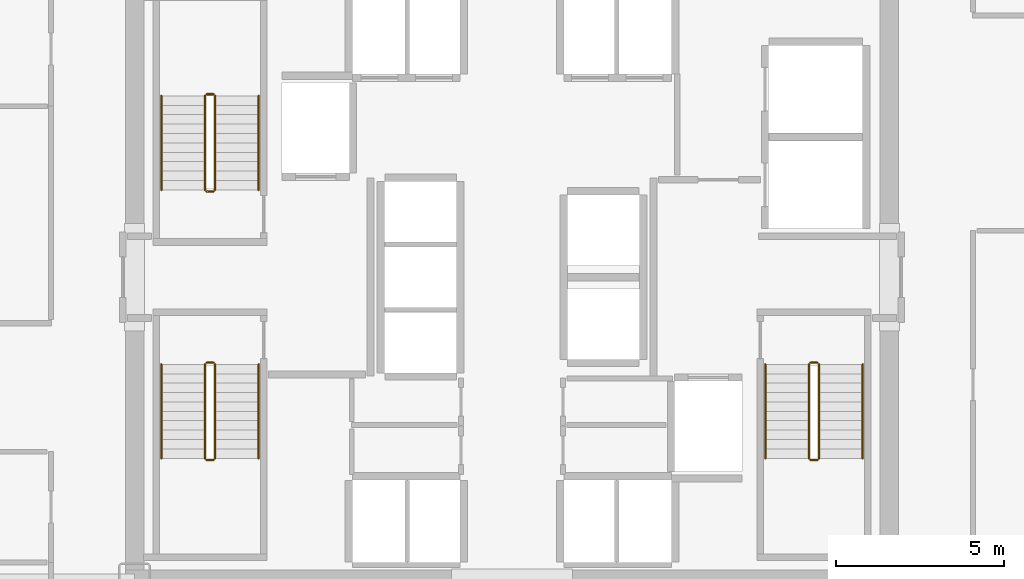
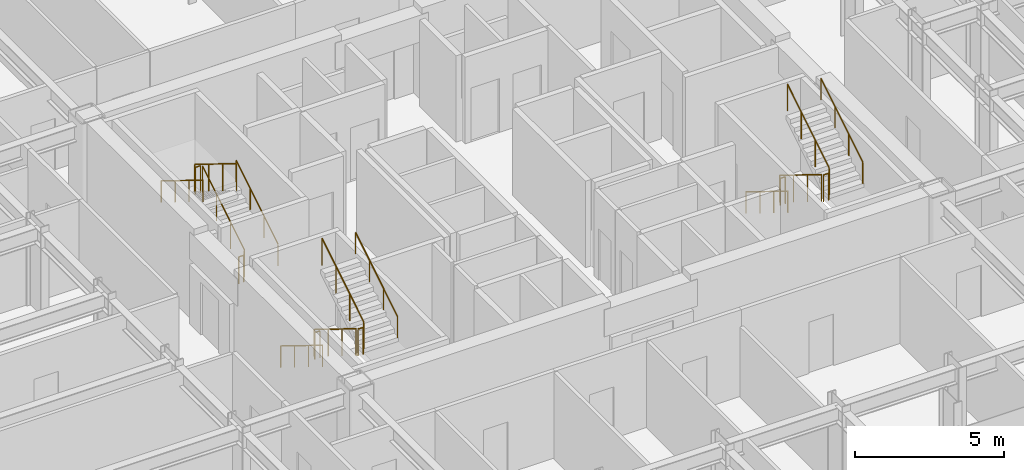
# One storey, part 26 of 26: 18 railings.
"""IFC4 building model written with IfcOpenShell, lengths in metres."""

from ifc_helpers import new_model, si_unit, direction, frame, origin, origin_2d, place, context, subcontext, project, spatial, circle, extrude, material, type_object, element, save


model = new_model("IFC4")

# Units and contexts
model_context = context("Model", 3, precision=1e-05, world=origin(), true_north=direction((0.0, 1.0)))
body_context = subcontext(model_context, "Body", "Model", "MODEL_VIEW")
ifc_project = project(units=[si_unit("LENGTHUNIT", "METRE"), si_unit("AREAUNIT", "SQUARE_METRE"), si_unit("VOLUMEUNIT", "CUBIC_METRE"), si_unit("PLANEANGLEUNIT", "RADIAN"), si_unit("MASSUNIT", "GRAM", prefix="KILO")], contexts=[model_context])

# Site, building, storey
site_placement = place(None, origin())
site = spatial("IfcSite", under=ifc_project, at=site_placement, CompositionType="ELEMENT")
building_placement = place(site_placement, origin())
building = spatial("IfcBuilding", under=site, at=building_placement, Name="Nefas-Gora Pilgrimage Tower", CompositionType="ELEMENT")
storey_placement = place(building_placement, frame((0.0, 0.0, 121.199951171875)))
storey = spatial("IfcBuildingStorey", under=building, at=storey_placement, Name="L29", CompositionType="ELEMENT", Elevation=121.199951171875)

# Railings
ifc_material_1 = material(Name="Painted galvanised steel", Category="steel")
railing_type_1 = type_object("IfcRailingType", Name="RLG-STR-GUARD-1100", PredefinedType="GUARDRAIL", material=ifc_material_1)
railing_1_placement = place(storey_placement, frame((-8.85009765625, 2.60009765625, 0.1728515625)))
element("IfcRailing", 1, at=railing_1_placement, inside=storey, type_object=railing_type_1, Name="L29 ST-01 stair guard 1", PredefinedType="GUARDRAIL", context=body_context, shape_type="SweptSolid", body=[
    extrude(circle(Radius=0.02392578125, at=origin_2d()), frame((0.0, 0.0, 1.09619140625), z_axis=(0.0, 0.851069175582, 0.525053576669), x_axis=(-1.0, 0.0, 0.0)), (0.0, 0.0, 1.0), 3.289794921875),
    extrude(circle(Radius=0.02099609375, at=origin_2d()), origin(), (0.0, 0.0, 1.0), 1.072021484375),
    extrude(circle(Radius=0.02099609375, at=origin_2d()), frame((0.0, 0.933349609375, 0.57568359375)), (0.0, 0.0, 1.0), 1.072021484375),
    extrude(circle(Radius=0.02099609375, at=origin_2d()), frame((0.0, 1.866455078125, 1.151611328125)), (0.0, 0.0, 1.0), 1.072021484375),
    extrude(circle(Radius=0.02099609375, at=origin_2d()), frame((0.0, 2.7998046875, 1.727294921875)), (0.0, 0.0, 1.0), 1.072021484375),
])
railing_2_placement = place(storey_placement, frame((-8.89990234375, 5.449951171875, 1.900146484375)))
element("IfcRailing", 2, at=railing_2_placement, inside=storey, type_object=railing_type_1, Name="L29 ST-01 stair guard 2", PredefinedType="GUARDRAIL", context=body_context, shape_type="SweptSolid", body=[
    extrude(circle(Radius=0.02392578125, at=origin_2d()), frame((0.0, 0.0, 1.09619140625), z_axis=(-1.0, 0.0, 0.0), x_axis=(0.0, -1.0, 0.0)), (0.0, 0.0, 1.0), 0.2001953125),
    extrude(circle(Radius=0.02099609375, at=origin_2d()), origin(), (0.0, 0.0, 1.0), 1.072021484375),
    extrude(circle(Radius=0.02099609375, at=origin_2d()), frame((-0.2001953125, 0.0, 0.0)), (0.0, 0.0, 1.0), 1.072021484375),
])
railing_3_placement = place(storey_placement, frame((-9.14990234375, 5.39990234375, 2.07275390625)))
element("IfcRailing", 3, at=railing_3_placement, inside=storey, type_object=railing_type_1, Name="L29 ST-01 stair guard 3", PredefinedType="GUARDRAIL", context=body_context, shape_type="SweptSolid", body=[
    extrude(circle(Radius=0.02392578125, at=origin_2d()), frame((0.0, 0.0, 1.09619140625), z_axis=(0.0, -0.851069175582, 0.525053576669), x_axis=(1.0, 0.0, 0.0)), (0.0, 0.0, 1.0), 3.289794921875),
    extrude(circle(Radius=0.02099609375, at=origin_2d()), origin(), (0.0, 0.0, 1.0), 1.072021484375),
    extrude(circle(Radius=0.02099609375, at=origin_2d()), frame((0.0, -0.933349609375, 0.57568359375)), (0.0, 0.0, 1.0), 1.072021484375),
    extrude(circle(Radius=0.02099609375, at=origin_2d()), frame((0.0, -1.866455078125, 1.151611328125)), (0.0, 0.0, 1.0), 1.072021484375),
    extrude(circle(Radius=0.02099609375, at=origin_2d()), frame((0.0, -2.7998046875, 1.727294921875)), (0.0, 0.0, 1.0), 1.072021484375),
])
railing_4_placement = place(storey_placement, frame((-8.89990234375, 2.550048828125, 0.0)))
element("IfcRailing", 4, at=railing_4_placement, inside=storey, type_object=railing_type_1, Name="L29 ST-01 stair guard 4", PredefinedType="GUARDRAIL", context=body_context, shape_type="SweptSolid", body=[
    extrude(circle(Radius=0.02392578125, at=origin_2d()), frame((0.0, 0.0, 1.09619140625), z_axis=(-1.0, 0.0, 0.0), x_axis=(0.0, -1.0, 0.0)), (0.0, 0.0, 1.0), 0.2001953125),
    extrude(circle(Radius=0.02099609375, at=origin_2d()), origin(), (0.0, 0.0, 1.0), 1.072021484375),
    extrude(circle(Radius=0.02099609375, at=origin_2d()), frame((-0.2001953125, 0.0, 0.0)), (0.0, 0.0, 1.0), 1.072021484375),
])
railing_5_placement = place(storey_placement, frame((8.85009765625, -2.60009765625, 0.1728515625)))
element("IfcRailing", 5, at=railing_5_placement, inside=storey, type_object=railing_type_1, Name="L29 ST-02 stair guard 1", PredefinedType="GUARDRAIL", context=body_context, shape_type="SweptSolid", body=[
    extrude(circle(Radius=0.02392578125, at=origin_2d()), frame((0.0, 0.0, 1.09619140625), z_axis=(0.0, -0.851069175582, 0.525053576669), x_axis=(1.0, 0.0, 0.0)), (0.0, 0.0, 1.0), 3.289794921875),
    extrude(circle(Radius=0.02099609375, at=origin_2d()), origin(), (0.0, 0.0, 1.0), 1.072021484375),
    extrude(circle(Radius=0.02099609375, at=origin_2d()), frame((0.0, -0.933349609375, 0.57568359375)), (0.0, 0.0, 1.0), 1.072021484375),
    extrude(circle(Radius=0.02099609375, at=origin_2d()), frame((0.0, -1.866455078125, 1.151611328125)), (0.0, 0.0, 1.0), 1.072021484375),
    extrude(circle(Radius=0.02099609375, at=origin_2d()), frame((0.0, -2.7998046875, 1.727294921875)), (0.0, 0.0, 1.0), 1.072021484375),
])
railing_6_placement = place(storey_placement, frame((8.89990234375, -5.449951171875, 1.900146484375)))
element("IfcRailing", 6, at=railing_6_placement, inside=storey, type_object=railing_type_1, Name="L29 ST-02 stair guard 2", PredefinedType="GUARDRAIL", context=body_context, shape_type="SweptSolid", body=[
    extrude(circle(Radius=0.02392578125, at=origin_2d()), frame((0.0, 0.0, 1.09619140625), z_axis=(1.0, 0.0, 0.0), x_axis=(0.0, 1.0, 0.0)), (0.0, 0.0, 1.0), 0.2001953125),
    extrude(circle(Radius=0.02099609375, at=origin_2d()), origin(), (0.0, 0.0, 1.0), 1.072021484375),
    extrude(circle(Radius=0.02099609375, at=origin_2d()), frame((0.2001953125, 0.0, 0.0)), (0.0, 0.0, 1.0), 1.072021484375),
])
railing_7_placement = place(storey_placement, frame((9.14990234375, -5.39990234375, 2.07275390625)))
element("IfcRailing", 7, at=railing_7_placement, inside=storey, type_object=railing_type_1, Name="L29 ST-02 stair guard 3", PredefinedType="GUARDRAIL", context=body_context, shape_type="SweptSolid", body=[
    extrude(circle(Radius=0.02392578125, at=origin_2d()), frame((0.0, 0.0, 1.09619140625), z_axis=(0.0, 0.851069175582, 0.525053576669), x_axis=(-1.0, 0.0, 0.0)), (0.0, 0.0, 1.0), 3.289794921875),
    extrude(circle(Radius=0.02099609375, at=origin_2d()), origin(), (0.0, 0.0, 1.0), 1.072021484375),
    extrude(circle(Radius=0.02099609375, at=origin_2d()), frame((0.0, 0.933349609375, 0.57568359375)), (0.0, 0.0, 1.0), 1.072021484375),
    extrude(circle(Radius=0.02099609375, at=origin_2d()), frame((0.0, 1.866455078125, 1.151611328125)), (0.0, 0.0, 1.0), 1.072021484375),
    extrude(circle(Radius=0.02099609375, at=origin_2d()), frame((0.0, 2.7998046875, 1.727294921875)), (0.0, 0.0, 1.0), 1.072021484375),
])
railing_8_placement = place(storey_placement, frame((8.89990234375, -2.550048828125, 0.0)))
element("IfcRailing", 8, at=railing_8_placement, inside=storey, type_object=railing_type_1, Name="L29 ST-02 stair guard 4", PredefinedType="GUARDRAIL", context=body_context, shape_type="SweptSolid", body=[
    extrude(circle(Radius=0.02392578125, at=origin_2d()), frame((0.0, 0.0, 1.09619140625), z_axis=(1.0, 0.0, 0.0), x_axis=(0.0, 1.0, 0.0)), (0.0, 0.0, 1.0), 0.2001953125),
    extrude(circle(Radius=0.02099609375, at=origin_2d()), origin(), (0.0, 0.0, 1.0), 1.072021484375),
    extrude(circle(Radius=0.02099609375, at=origin_2d()), frame((0.2001953125, 0.0, 0.0)), (0.0, 0.0, 1.0), 1.072021484375),
])
railing_9_placement = place(storey_placement, frame((-9.14990234375, -2.60009765625, 0.1728515625)))
element("IfcRailing", 9, at=railing_9_placement, inside=storey, type_object=railing_type_1, Name="L29 ST-03 stair guard 1", PredefinedType="GUARDRAIL", context=body_context, shape_type="SweptSolid", body=[
    extrude(circle(Radius=0.02392578125, at=origin_2d()), frame((0.0, 0.0, 1.09619140625), z_axis=(0.0, -0.851069175582, 0.525053576669), x_axis=(1.0, 0.0, 0.0)), (0.0, 0.0, 1.0), 3.289794921875),
    extrude(circle(Radius=0.02099609375, at=origin_2d()), origin(), (0.0, 0.0, 1.0), 1.072021484375),
    extrude(circle(Radius=0.02099609375, at=origin_2d()), frame((0.0, -0.933349609375, 0.57568359375)), (0.0, 0.0, 1.0), 1.072021484375),
    extrude(circle(Radius=0.02099609375, at=origin_2d()), frame((0.0, -1.866455078125, 1.151611328125)), (0.0, 0.0, 1.0), 1.072021484375),
    extrude(circle(Radius=0.02099609375, at=origin_2d()), frame((0.0, -2.7998046875, 1.727294921875)), (0.0, 0.0, 1.0), 1.072021484375),
])
railing_10_placement = place(storey_placement, frame((-9.10009765625, -5.449951171875, 1.900146484375)))
element("IfcRailing", 10, at=railing_10_placement, inside=storey, type_object=railing_type_1, Name="L29 ST-03 stair guard 2", PredefinedType="GUARDRAIL", context=body_context, shape_type="SweptSolid", body=[
    extrude(circle(Radius=0.02392578125, at=origin_2d()), frame((0.0, 0.0, 1.09619140625), z_axis=(1.0, 0.0, 0.0), x_axis=(0.0, 1.0, 0.0)), (0.0, 0.0, 1.0), 0.2001953125),
    extrude(circle(Radius=0.02099609375, at=origin_2d()), origin(), (0.0, 0.0, 1.0), 1.072021484375),
    extrude(circle(Radius=0.02099609375, at=origin_2d()), frame((0.2001953125, 0.0, 0.0)), (0.0, 0.0, 1.0), 1.072021484375),
])
railing_11_placement = place(storey_placement, frame((-8.85009765625, -5.39990234375, 2.07275390625)))
element("IfcRailing", 11, at=railing_11_placement, inside=storey, type_object=railing_type_1, Name="L29 ST-03 stair guard 3", PredefinedType="GUARDRAIL", context=body_context, shape_type="SweptSolid", body=[
    extrude(circle(Radius=0.02392578125, at=origin_2d()), frame((0.0, 0.0, 1.09619140625), z_axis=(0.0, 0.851069175582, 0.525053576669), x_axis=(-1.0, 0.0, 0.0)), (0.0, 0.0, 1.0), 3.289794921875),
    extrude(circle(Radius=0.02099609375, at=origin_2d()), origin(), (0.0, 0.0, 1.0), 1.072021484375),
    extrude(circle(Radius=0.02099609375, at=origin_2d()), frame((0.0, 0.933349609375, 0.57568359375)), (0.0, 0.0, 1.0), 1.072021484375),
    extrude(circle(Radius=0.02099609375, at=origin_2d()), frame((0.0, 1.866455078125, 1.151611328125)), (0.0, 0.0, 1.0), 1.072021484375),
    extrude(circle(Radius=0.02099609375, at=origin_2d()), frame((0.0, 2.7998046875, 1.727294921875)), (0.0, 0.0, 1.0), 1.072021484375),
])
railing_12_placement = place(storey_placement, frame((-9.10009765625, -2.550048828125, 0.0)))
element("IfcRailing", 12, at=railing_12_placement, inside=storey, type_object=railing_type_1, Name="L29 ST-03 stair guard 4", PredefinedType="GUARDRAIL", context=body_context, shape_type="SweptSolid", body=[
    extrude(circle(Radius=0.02392578125, at=origin_2d()), frame((0.0, 0.0, 1.09619140625), z_axis=(1.0, 0.0, 0.0), x_axis=(0.0, 1.0, 0.0)), (0.0, 0.0, 1.0), 0.2001953125),
    extrude(circle(Radius=0.02099609375, at=origin_2d()), origin(), (0.0, 0.0, 1.0), 1.072021484375),
    extrude(circle(Radius=0.02099609375, at=origin_2d()), frame((0.2001953125, 0.0, 0.0)), (0.0, 0.0, 1.0), 1.072021484375),
])
ifc_material_2 = material(Name="Brushed stainless steel", Category="steel")
railing_type_2 = type_object("IfcRailingType", Name="RLG-STR-HAND-900", PredefinedType="HANDRAIL", material=ifc_material_2)
railing_13_placement = place(storey_placement, frame((-7.550048828125, 2.60009765625, 0.1728515625)))
element("IfcRailing", 13, at=railing_13_placement, inside=storey, type_object=railing_type_2, Name="L29 ST-01 stair handrail 1", PredefinedType="HANDRAIL", context=body_context, shape_type="SweptSolid", body=[
    extrude(circle(Radius=0.02392578125, at=origin_2d()), frame((0.0, 0.0, 0.8759765625), z_axis=(0.0, 0.851069175582, 0.525053576669), x_axis=(-1.0, 0.0, 0.0)), (0.0, 0.0, 1.0), 3.289794921875),
    extrude(circle(Radius=0.02099609375, at=origin_2d()), origin(), (0.0, 0.0, 1.0), 0.851806640625),
    extrude(circle(Radius=0.02099609375, at=origin_2d()), frame((0.0, 0.933349609375, 0.57568359375)), (0.0, 0.0, 1.0), 0.851806640625),
    extrude(circle(Radius=0.02099609375, at=origin_2d()), frame((0.0, 1.866455078125, 1.151611328125)), (0.0, 0.0, 1.0), 0.851806640625),
    extrude(circle(Radius=0.02099609375, at=origin_2d()), frame((0.0, 2.7998046875, 1.727294921875)), (0.0, 0.0, 1.0), 0.851806640625),
])
for number, where, name in (
    (14, (-10.449951171875, 5.39990234375, 2.07275390625), "L29 ST-01 stair handrail 2"),
    (15, (7.550048828125, -2.60009765625, 0.1728515625), "L29 ST-02 stair handrail 1"),
):
    element("IfcRailing", number, at=place(storey_placement, frame(where)), inside=storey, type_object=railing_type_2, Name=name, PredefinedType="HANDRAIL", context=body_context, shape_type="SweptSolid", body=[
        extrude(circle(Radius=0.02392578125, at=origin_2d()), frame((0.0, 0.0, 0.8759765625), z_axis=(0.0, -0.851069175582, 0.525053576669), x_axis=(1.0, 0.0, 0.0)), (0.0, 0.0, 1.0), 3.289794921875),
        extrude(circle(Radius=0.02099609375, at=origin_2d()), origin(), (0.0, 0.0, 1.0), 0.851806640625),
        extrude(circle(Radius=0.02099609375, at=origin_2d()), frame((0.0, -0.933349609375, 0.57568359375)), (0.0, 0.0, 1.0), 0.851806640625),
        extrude(circle(Radius=0.02099609375, at=origin_2d()), frame((0.0, -1.866455078125, 1.151611328125)), (0.0, 0.0, 1.0), 0.851806640625),
        extrude(circle(Radius=0.02099609375, at=origin_2d()), frame((0.0, -2.7998046875, 1.727294921875)), (0.0, 0.0, 1.0), 0.851806640625),
    ])
railing_14_placement = place(storey_placement, frame((10.449951171875, -5.39990234375, 2.07275390625)))
element("IfcRailing", 16, at=railing_14_placement, inside=storey, type_object=railing_type_2, Name="L29 ST-02 stair handrail 2", PredefinedType="HANDRAIL", context=body_context, shape_type="SweptSolid", body=[
    extrude(circle(Radius=0.02392578125, at=origin_2d()), frame((0.0, 0.0, 0.8759765625), z_axis=(0.0, 0.851069175582, 0.525053576669), x_axis=(-1.0, 0.0, 0.0)), (0.0, 0.0, 1.0), 3.289794921875),
    extrude(circle(Radius=0.02099609375, at=origin_2d()), origin(), (0.0, 0.0, 1.0), 0.851806640625),
    extrude(circle(Radius=0.02099609375, at=origin_2d()), frame((0.0, 0.933349609375, 0.57568359375)), (0.0, 0.0, 1.0), 0.851806640625),
    extrude(circle(Radius=0.02099609375, at=origin_2d()), frame((0.0, 1.866455078125, 1.151611328125)), (0.0, 0.0, 1.0), 0.851806640625),
    extrude(circle(Radius=0.02099609375, at=origin_2d()), frame((0.0, 2.7998046875, 1.727294921875)), (0.0, 0.0, 1.0), 0.851806640625),
])
railing_15_placement = place(storey_placement, frame((-10.449951171875, -2.60009765625, 0.1728515625)))
element("IfcRailing", 17, at=railing_15_placement, inside=storey, type_object=railing_type_2, Name="L29 ST-03 stair handrail 1", PredefinedType="HANDRAIL", context=body_context, shape_type="SweptSolid", body=[
    extrude(circle(Radius=0.02392578125, at=origin_2d()), frame((0.0, 0.0, 0.8759765625), z_axis=(0.0, -0.851069175582, 0.525053576669), x_axis=(1.0, 0.0, 0.0)), (0.0, 0.0, 1.0), 3.289794921875),
    extrude(circle(Radius=0.02099609375, at=origin_2d()), origin(), (0.0, 0.0, 1.0), 0.851806640625),
    extrude(circle(Radius=0.02099609375, at=origin_2d()), frame((0.0, -0.933349609375, 0.57568359375)), (0.0, 0.0, 1.0), 0.851806640625),
    extrude(circle(Radius=0.02099609375, at=origin_2d()), frame((0.0, -1.866455078125, 1.151611328125)), (0.0, 0.0, 1.0), 0.851806640625),
    extrude(circle(Radius=0.02099609375, at=origin_2d()), frame((0.0, -2.7998046875, 1.727294921875)), (0.0, 0.0, 1.0), 0.851806640625),
])
railing_16_placement = place(storey_placement, frame((-7.550048828125, -5.39990234375, 2.07275390625)))
element("IfcRailing", 18, at=railing_16_placement, inside=storey, type_object=railing_type_2, Name="L29 ST-03 stair handrail 2", PredefinedType="HANDRAIL", context=body_context, shape_type="SweptSolid", body=[
    extrude(circle(Radius=0.02392578125, at=origin_2d()), frame((0.0, 0.0, 0.8759765625), z_axis=(0.0, 0.851069175582, 0.525053576669), x_axis=(-1.0, 0.0, 0.0)), (0.0, 0.0, 1.0), 3.289794921875),
    extrude(circle(Radius=0.02099609375, at=origin_2d()), origin(), (0.0, 0.0, 1.0), 0.851806640625),
    extrude(circle(Radius=0.02099609375, at=origin_2d()), frame((0.0, 0.933349609375, 0.57568359375)), (0.0, 0.0, 1.0), 0.851806640625),
    extrude(circle(Radius=0.02099609375, at=origin_2d()), frame((0.0, 1.866455078125, 1.151611328125)), (0.0, 0.0, 1.0), 0.851806640625),
    extrude(circle(Radius=0.02099609375, at=origin_2d()), frame((0.0, 2.7998046875, 1.727294921875)), (0.0, 0.0, 1.0), 0.851806640625),
])

save(model, "model.ifc")
